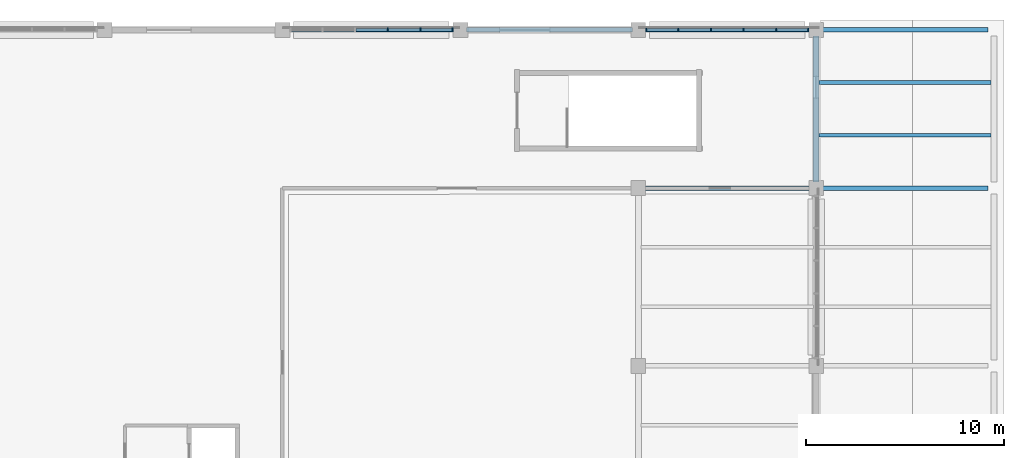
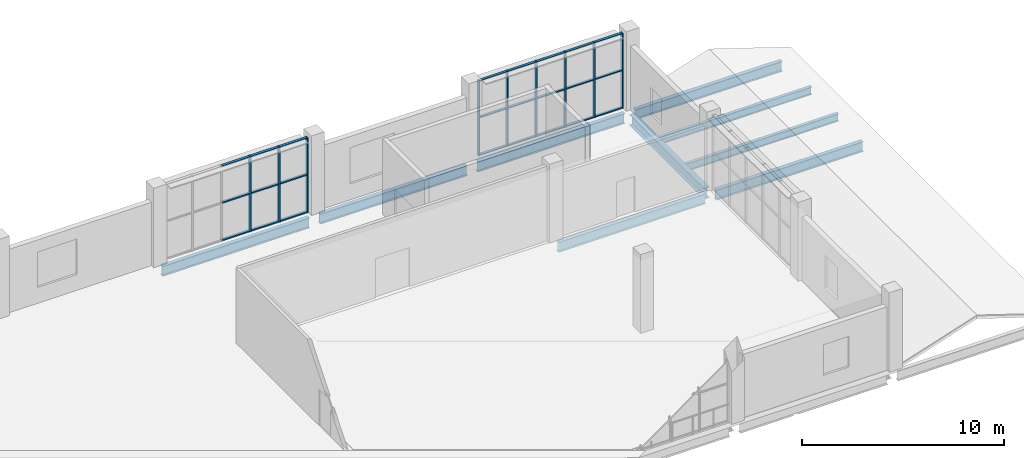
# One storey, part 68 of 152: 33 members, 9 beams, 2 elements without a shape of their own.
"""IFC4 building model written with IfcOpenShell, lengths in metres."""

from ifc_helpers import new_model, si_unit, direction, frame, origin, origin_2d, place, context, subcontext, project, spatial, rectangle, i_section, extrude, material, material_profile, profile_set, type_object, element, aggregate, save


model = new_model("IFC4")

# Units and contexts
model_context = context("Model", 3, precision=1e-05, world=origin(), true_north=direction((0.0, 1.0)))
body_context = subcontext(model_context, "Body", "Model", "MODEL_VIEW")
ifc_project = project(units=[si_unit("LENGTHUNIT", "METRE"), si_unit("AREAUNIT", "SQUARE_METRE"), si_unit("VOLUMEUNIT", "CUBIC_METRE"), si_unit("PLANEANGLEUNIT", "RADIAN"), si_unit("MASSUNIT", "GRAM", prefix="KILO")], contexts=[model_context])

# Site, building, storey
site_placement = place(None, origin())
site = spatial("IfcSite", under=ifc_project, at=site_placement, CompositionType="ELEMENT")
building_placement = place(site_placement, origin())
building = spatial("IfcBuilding", under=site, at=building_placement, Name="Zevraka Park Crest Stadium", CompositionType="ELEMENT")
storey_placement = place(building_placement, frame((0.0, 0.0, 15.0)))
storey = spatial("IfcBuildingStorey", under=building, at=storey_placement, Name="L03", CompositionType="ELEMENT", Elevation=15.0)

# Beams
ifc_material_1 = material(Name="Steel S355", Category="steel")
ifc_material_profile_1 = material_profile(ifc_material_1, i_section(OverallWidth=0.300048828125, OverallDepth=0.64990234375, WebThickness=0.01611328125, FlangeThickness=0.031005859375, at=origin_2d()), Name="HEB 650")
ifc_profile_set_1 = profile_set([ifc_material_profile_1], Name="Steel S355")
beam_type_1 = type_object("IfcBeamType", Name="BG07", PredefinedType="BEAM", material=ifc_profile_set_1)
beam_placement = place(storey_placement, frame((215.0, 176.300048828125, -0.633056640625), z_axis=(0.0, 1.0, 0.0), x_axis=(-1.0, 0.0, 0.0)))
element("IfcBeam", 1, at=beam_placement, inside=storey, type_object=beam_type_1, Name="Wing Girder BG07 L03-24/VW", PredefinedType="BEAM", context=body_context, shape_type="SweptSolid", body=[
    extrude(i_section(OverallWidth=0.300048828125, OverallDepth=0.64990234375, WebThickness=0.01611328125, FlangeThickness=0.031005859375, at=origin_2d()), origin(), (0.0, 0.0, 1.0), 7.39990234375),
])
ifc_material_2 = material(Name="Steel S355", Category="steel")
ifc_material_profile_2 = material_profile(ifc_material_2, i_section(OverallWidth=0.22900390625, OverallDepth=0.612060546875, WebThickness=0.011962890625, FlangeThickness=0.01953125, at=origin_2d()), Name="UKB 610x229x125")
ifc_profile_set_2 = profile_set([ifc_material_profile_2], Name="Steel S355")
beam_type_2 = type_object("IfcBeamType", Name="BG09", PredefinedType="BEAM", material=ifc_profile_set_2)
for number, where, z_axis, x_axis, name in (
    (2, (188.300048828125, 184.0, -0.614013671875), (1.0, 0.0, 0.0), (0.0, 1.0, 0.0), "Wing Girder BG09 L03-2122/W"),
    (3, (197.300048828125, 184.0, -0.614013671875), (1.0, 0.0, 0.0), (0.0, 1.0, 0.0), "Wing Girder BG09 L03-2223/W"),
    (4, (206.300048828125, 176.0, -0.614013671875), (1.0, 0.0, 0.0), (0.0, 1.0, 0.0), "Wing Girder BG09 L03-2324/V"),
    (5, (206.300048828125, 184.0, -0.614013671875), (1.0, 0.0, 0.0), (0.0, 1.0, 0.0), "Wing Girder BG09 L03-2324/W"),
    (6, (215.300048828125, 176.0, -0.614013671875), (1.0, 0.0, 0.0), (0.0, 1.0, 0.0), "Wing Girder BG09 L03-2425/V"),
    (7, (215.300048828125, 184.0, -0.614013671875), (1.0, 0.0, 0.0), (0.0, 1.0, 0.0), "Wing Girder BG09 L03-2425/W"),
):
    element("IfcBeam", number, at=place(storey_placement, frame(where, z_axis=z_axis, x_axis=x_axis)), inside=storey, type_object=beam_type_2, Name=name, PredefinedType="BEAM", context=body_context, shape_type="SweptSolid", body=[
        extrude(i_section(OverallWidth=0.22900390625, OverallDepth=0.612060546875, WebThickness=0.011962890625, FlangeThickness=0.01953125, at=origin_2d()), origin(), (0.0, 0.0, 1.0), 8.39990234375),
    ])

# Curtain wall, members
ifc_material_3 = material(Name="Anodised architectural aluminium and laminated safety glass", Category="aluminium")
curtain_wall_type_1 = type_object("IfcCurtainWallType", Name="CW29", PredefinedType="NOTDEFINED", material=ifc_material_3)
curtain_wall_1_placement = place(storey_placement, origin())
curtain_wall_1 = element("IfcCurtainWall", 8, at=curtain_wall_1_placement, inside=storey, type_object=curtain_wall_type_1, Name="Wing Curtain Wall CW29 L03-NGATE-N3-6", PredefinedType="NOTDEFINED")
ifc_material_4 = material(Name="Anodised architectural aluminium", Category="aluminium")
ifc_material_profile_3 = material_profile(ifc_material_4, rectangle(XDim=0.179931640625, YDim=0.06494140625, at=origin_2d()), Name="ALU MULLION 180x65")
ifc_profile_set_3 = profile_set([ifc_material_profile_3], Name="Anodised architectural aluminium")
member_type_1 = type_object("IfcMemberType", Name="CM02", PredefinedType="MULLION", material=ifc_profile_set_3)
member_1_placement = place(storey_placement, frame((206.3974609375, 184.0, 0.0), z_axis=(0.0, 0.0, 1.0), x_axis=(0.0, 1.0, 0.0)))
member_1 = element("IfcMember", 9, at=member_1_placement, type_object=member_type_1, Name="CW29 mullion 1", PredefinedType="MULLION", context=body_context, shape_type="SweptSolid", body=[
    extrude(rectangle(XDim=0.179931640625, YDim=0.06494140625, at=origin_2d()), origin(), (0.0, 0.0, 1.0), 4.5400390625),
])
member_2_placement = place(storey_placement, frame((208.01904296875, 184.0, 0.0), z_axis=(0.0, 0.0, 1.0), x_axis=(0.0, 1.0, 0.0)))
member_2 = element("IfcMember", 10, at=member_2_placement, type_object=member_type_1, Name="CW29 mullion 2", PredefinedType="MULLION", context=body_context, shape_type="SweptSolid", body=[
    extrude(rectangle(XDim=0.179931640625, YDim=0.06494140625, at=origin_2d()), origin(), (0.0, 0.0, 1.0), 4.5400390625),
])
member_3_placement = place(storey_placement, frame((209.673095703125, 184.0, 0.0), z_axis=(0.0, 0.0, 1.0), x_axis=(0.0, 1.0, 0.0)))
member_3 = element("IfcMember", 11, at=member_3_placement, type_object=member_type_1, Name="CW29 mullion 3", PredefinedType="MULLION", context=body_context, shape_type="SweptSolid", body=[
    extrude(rectangle(XDim=0.179931640625, YDim=0.06494140625, at=origin_2d()), origin(), (0.0, 0.0, 1.0), 4.5400390625),
])
member_4_placement = place(storey_placement, frame((211.326904296875, 184.0, 0.0), z_axis=(0.0, 0.0, 1.0), x_axis=(0.0, 1.0, 0.0)))
member_4 = element("IfcMember", 12, at=member_4_placement, type_object=member_type_1, Name="CW29 mullion 4", PredefinedType="MULLION", context=body_context, shape_type="SweptSolid", body=[
    extrude(rectangle(XDim=0.179931640625, YDim=0.06494140625, at=origin_2d()), origin(), (0.0, 0.0, 1.0), 4.5400390625),
])
member_5_placement = place(storey_placement, frame((212.98095703125, 184.0, 0.0), z_axis=(0.0, 0.0, 1.0), x_axis=(0.0, 1.0, 0.0)))
member_5 = element("IfcMember", 13, at=member_5_placement, type_object=member_type_1, Name="CW29 mullion 5", PredefinedType="MULLION", context=body_context, shape_type="SweptSolid", body=[
    extrude(rectangle(XDim=0.179931640625, YDim=0.06494140625, at=origin_2d()), origin(), (0.0, 0.0, 1.0), 4.5400390625),
])
member_6_placement = place(storey_placement, frame((214.6025390625, 184.0, 0.0), z_axis=(0.0, 0.0, 1.0), x_axis=(0.0, 1.0, 0.0)))
member_6 = element("IfcMember", 14, at=member_6_placement, type_object=member_type_1, Name="CW29 mullion 6", PredefinedType="MULLION", context=body_context, shape_type="SweptSolid", body=[
    extrude(rectangle(XDim=0.179931640625, YDim=0.06494140625, at=origin_2d()), origin(), (0.0, 0.0, 1.0), 4.5400390625),
])

ifc_material_5 = material(Name="Anodised architectural aluminium and laminated safety glass", Category="aluminium")
curtain_wall_type_2 = type_object("IfcCurtainWallType", Name="CW27", PredefinedType="NOTDEFINED", material=ifc_material_5)
curtain_wall_2_placement = place(storey_placement, origin())
curtain_wall_2 = element("IfcCurtainWall", 15, at=curtain_wall_2_placement, inside=storey, type_object=curtain_wall_type_2, Name="Wing Curtain Wall CW27 L03-NGATE-N3-4", PredefinedType="NOTDEFINED")
ifc_material_6 = material(Name="Anodised architectural aluminium", Category="aluminium")
ifc_material_profile_4 = material_profile(ifc_material_6, rectangle(XDim=0.199951171875, YDim=0.070068359375, at=origin_2d()), Name="ALU MULLION 200x70")
ifc_profile_set_4 = profile_set([ifc_material_profile_4], Name="Anodised architectural aluminium")
member_type_2 = type_object("IfcMemberType", Name="CM03", PredefinedType="MULLION", material=ifc_profile_set_4)
member_7_placement = place(storey_placement, frame((193.326904296875, 184.0, 0.0), z_axis=(0.0, 0.0, 1.0), x_axis=(0.0, 1.0, 0.0)))
member_7 = element("IfcMember", 16, at=member_7_placement, type_object=member_type_2, Name="CW27 mullion 4", PredefinedType="MULLION", context=body_context, shape_type="SweptSolid", body=[
    extrude(rectangle(XDim=0.199951171875, YDim=0.070068359375, at=origin_2d()), origin(), (0.0, 0.0, 1.0), 4.5400390625),
])
member_8_placement = place(storey_placement, frame((194.98095703125, 184.0, 0.0), z_axis=(0.0, 0.0, 1.0), x_axis=(0.0, 1.0, 0.0)))
member_8 = element("IfcMember", 17, at=member_8_placement, type_object=member_type_2, Name="CW27 mullion 5", PredefinedType="MULLION", context=body_context, shape_type="SweptSolid", body=[
    extrude(rectangle(XDim=0.199951171875, YDim=0.070068359375, at=origin_2d()), origin(), (0.0, 0.0, 1.0), 4.5400390625),
])
member_9_placement = place(storey_placement, frame((196.60009765625, 184.0, 0.0), z_axis=(0.0, 0.0, 1.0), x_axis=(0.0, 1.0, 0.0)))
member_9 = element("IfcMember", 18, at=member_9_placement, type_object=member_type_2, Name="CW27 mullion 6", PredefinedType="MULLION", context=body_context, shape_type="SweptSolid", body=[
    extrude(rectangle(XDim=0.199951171875, YDim=0.070068359375, at=origin_2d()), origin(), (0.0, 0.0, 1.0), 4.5400390625),
])

# Member
ifc_material_7 = material(Name="Anodised architectural aluminium", Category="aluminium")
ifc_material_profile_5 = material_profile(ifc_material_7, rectangle(XDim=0.139892578125, YDim=0.06494140625, at=origin_2d()), Name="ALU TRANSOM 140x65")
ifc_profile_set_5 = profile_set([ifc_material_profile_5], Name="Anodised architectural aluminium")
member_type_3 = type_object("IfcMemberType", Name="CT02", PredefinedType="USERDEFINED", material=ifc_profile_set_5)
member_10_placement = place(storey_placement, frame((206.429931640625, 184.0, 0.032470703125), z_axis=(1.0, 0.0, 0.0), x_axis=(0.0, 1.0, 0.0)))
member_10 = element("IfcMember", 19, at=member_10_placement, type_object=member_type_3, Name="CW29 transom 1.1", ObjectType="TRANSOM", PredefinedType="USERDEFINED", context=body_context, shape_type="SweptSolid", body=[
    extrude(rectangle(XDim=0.139892578125, YDim=0.06494140625, at=origin_2d()), origin(), (0.0, 0.0, 1.0), 1.556640625),
])

member_11_placement = place(storey_placement, frame((206.429931640625, 184.0, 2.300048828125), z_axis=(1.0, 0.0, 0.0), x_axis=(0.0, 1.0, 0.0)))
member_11 = element("IfcMember", 20, at=member_11_placement, type_object=member_type_3, Name="CW29 transom 1.2", ObjectType="TRANSOM", PredefinedType="USERDEFINED", context=body_context, shape_type="SweptSolid", body=[
    extrude(rectangle(XDim=0.139892578125, YDim=0.06494140625, at=origin_2d()), origin(), (0.0, 0.0, 1.0), 1.556640625),
])

member_12_placement = place(storey_placement, frame((206.429931640625, 184.0, 4.507568359375), z_axis=(1.0, 0.0, 0.0), x_axis=(0.0, 1.0, 0.0)))
member_12 = element("IfcMember", 21, at=member_12_placement, type_object=member_type_3, Name="CW29 transom 1.3", ObjectType="TRANSOM", PredefinedType="USERDEFINED", context=body_context, shape_type="SweptSolid", body=[
    extrude(rectangle(XDim=0.139892578125, YDim=0.06494140625, at=origin_2d()), origin(), (0.0, 0.0, 1.0), 1.556640625),
])

member_13_placement = place(storey_placement, frame((208.051513671875, 184.0, 0.032470703125), z_axis=(1.0, 0.0, 0.0), x_axis=(0.0, 1.0, 0.0)))
member_13 = element("IfcMember", 22, at=member_13_placement, type_object=member_type_3, Name="CW29 transom 2.1", ObjectType="TRANSOM", PredefinedType="USERDEFINED", context=body_context, shape_type="SweptSolid", body=[
    extrude(rectangle(XDim=0.139892578125, YDim=0.06494140625, at=origin_2d()), origin(), (0.0, 0.0, 1.0), 1.5888671875),
])

member_14_placement = place(storey_placement, frame((208.051513671875, 184.0, 2.300048828125), z_axis=(1.0, 0.0, 0.0), x_axis=(0.0, 1.0, 0.0)))
member_14 = element("IfcMember", 23, at=member_14_placement, type_object=member_type_3, Name="CW29 transom 2.2", ObjectType="TRANSOM", PredefinedType="USERDEFINED", context=body_context, shape_type="SweptSolid", body=[
    extrude(rectangle(XDim=0.139892578125, YDim=0.06494140625, at=origin_2d()), origin(), (0.0, 0.0, 1.0), 1.5888671875),
])

member_15_placement = place(storey_placement, frame((208.051513671875, 184.0, 4.507568359375), z_axis=(1.0, 0.0, 0.0), x_axis=(0.0, 1.0, 0.0)))
member_15 = element("IfcMember", 24, at=member_15_placement, type_object=member_type_3, Name="CW29 transom 2.3", ObjectType="TRANSOM", PredefinedType="USERDEFINED", context=body_context, shape_type="SweptSolid", body=[
    extrude(rectangle(XDim=0.139892578125, YDim=0.06494140625, at=origin_2d()), origin(), (0.0, 0.0, 1.0), 1.5888671875),
])

member_16_placement = place(storey_placement, frame((209.70556640625, 184.0, 0.032470703125), z_axis=(1.0, 0.0, 0.0), x_axis=(0.0, 1.0, 0.0)))
member_16 = element("IfcMember", 25, at=member_16_placement, type_object=member_type_3, Name="CW29 transom 3.1", ObjectType="TRANSOM", PredefinedType="USERDEFINED", context=body_context, shape_type="SweptSolid", body=[
    extrude(rectangle(XDim=0.139892578125, YDim=0.06494140625, at=origin_2d()), origin(), (0.0, 0.0, 1.0), 1.5888671875),
])

member_17_placement = place(storey_placement, frame((209.70556640625, 184.0, 2.300048828125), z_axis=(1.0, 0.0, 0.0), x_axis=(0.0, 1.0, 0.0)))
member_17 = element("IfcMember", 26, at=member_17_placement, type_object=member_type_3, Name="CW29 transom 3.2", ObjectType="TRANSOM", PredefinedType="USERDEFINED", context=body_context, shape_type="SweptSolid", body=[
    extrude(rectangle(XDim=0.139892578125, YDim=0.06494140625, at=origin_2d()), origin(), (0.0, 0.0, 1.0), 1.5888671875),
])

member_18_placement = place(storey_placement, frame((209.70556640625, 184.0, 4.507568359375), z_axis=(1.0, 0.0, 0.0), x_axis=(0.0, 1.0, 0.0)))
member_18 = element("IfcMember", 27, at=member_18_placement, type_object=member_type_3, Name="CW29 transom 3.3", ObjectType="TRANSOM", PredefinedType="USERDEFINED", context=body_context, shape_type="SweptSolid", body=[
    extrude(rectangle(XDim=0.139892578125, YDim=0.06494140625, at=origin_2d()), origin(), (0.0, 0.0, 1.0), 1.5888671875),
])

member_19_placement = place(storey_placement, frame((211.359619140625, 184.0, 0.032470703125), z_axis=(1.0, 0.0, 0.0), x_axis=(0.0, 1.0, 0.0)))
member_19 = element("IfcMember", 28, at=member_19_placement, type_object=member_type_3, Name="CW29 transom 4.1", ObjectType="TRANSOM", PredefinedType="USERDEFINED", context=body_context, shape_type="SweptSolid", body=[
    extrude(rectangle(XDim=0.139892578125, YDim=0.06494140625, at=origin_2d()), origin(), (0.0, 0.0, 1.0), 1.5888671875),
])

member_20_placement = place(storey_placement, frame((211.359619140625, 184.0, 2.300048828125), z_axis=(1.0, 0.0, 0.0), x_axis=(0.0, 1.0, 0.0)))
member_20 = element("IfcMember", 29, at=member_20_placement, type_object=member_type_3, Name="CW29 transom 4.2", ObjectType="TRANSOM", PredefinedType="USERDEFINED", context=body_context, shape_type="SweptSolid", body=[
    extrude(rectangle(XDim=0.139892578125, YDim=0.06494140625, at=origin_2d()), origin(), (0.0, 0.0, 1.0), 1.5888671875),
])

member_21_placement = place(storey_placement, frame((211.359619140625, 184.0, 4.507568359375), z_axis=(1.0, 0.0, 0.0), x_axis=(0.0, 1.0, 0.0)))
member_21 = element("IfcMember", 30, at=member_21_placement, type_object=member_type_3, Name="CW29 transom 4.3", ObjectType="TRANSOM", PredefinedType="USERDEFINED", context=body_context, shape_type="SweptSolid", body=[
    extrude(rectangle(XDim=0.139892578125, YDim=0.06494140625, at=origin_2d()), origin(), (0.0, 0.0, 1.0), 1.5888671875),
])

member_22_placement = place(storey_placement, frame((213.013427734375, 184.0, 0.032470703125), z_axis=(1.0, 0.0, 0.0), x_axis=(0.0, 1.0, 0.0)))
member_22 = element("IfcMember", 31, at=member_22_placement, type_object=member_type_3, Name="CW29 transom 5.1", ObjectType="TRANSOM", PredefinedType="USERDEFINED", context=body_context, shape_type="SweptSolid", body=[
    extrude(rectangle(XDim=0.139892578125, YDim=0.06494140625, at=origin_2d()), origin(), (0.0, 0.0, 1.0), 1.556640625),
])

member_23_placement = place(storey_placement, frame((213.013427734375, 184.0, 2.300048828125), z_axis=(1.0, 0.0, 0.0), x_axis=(0.0, 1.0, 0.0)))
member_23 = element("IfcMember", 32, at=member_23_placement, type_object=member_type_3, Name="CW29 transom 5.2", ObjectType="TRANSOM", PredefinedType="USERDEFINED", context=body_context, shape_type="SweptSolid", body=[
    extrude(rectangle(XDim=0.139892578125, YDim=0.06494140625, at=origin_2d()), origin(), (0.0, 0.0, 1.0), 1.556640625),
])

member_24_placement = place(storey_placement, frame((213.013427734375, 184.0, 4.507568359375), z_axis=(1.0, 0.0, 0.0), x_axis=(0.0, 1.0, 0.0)))
member_24 = element("IfcMember", 33, at=member_24_placement, type_object=member_type_3, Name="CW29 transom 5.3", ObjectType="TRANSOM", PredefinedType="USERDEFINED", context=body_context, shape_type="SweptSolid", body=[
    extrude(rectangle(XDim=0.139892578125, YDim=0.06494140625, at=origin_2d()), origin(), (0.0, 0.0, 1.0), 1.556640625),
])

aggregate(curtain_wall_1, [member_1, member_2, member_3, member_4, member_5, member_6, member_10, member_11, member_12, member_13, member_14, member_15, member_16, member_17, member_18, member_19, member_20, member_21, member_22, member_23, member_24])

ifc_material_8 = material(Name="Anodised architectural aluminium", Category="aluminium")
ifc_material_profile_6 = material_profile(ifc_material_8, rectangle(XDim=0.14990234375, YDim=0.070068359375, at=origin_2d()), Name="ALU TRANSOM 150x70")
ifc_profile_set_6 = profile_set([ifc_material_profile_6], Name="Anodised architectural aluminium")
member_type_4 = type_object("IfcMemberType", Name="CT03", PredefinedType="USERDEFINED", material=ifc_profile_set_6)
member_25_placement = place(storey_placement, frame((191.7080078125, 184.0, 0.034912109375), z_axis=(1.0, 0.0, 0.0), x_axis=(0.0, 1.0, 0.0)))
member_25 = element("IfcMember", 34, at=member_25_placement, type_object=member_type_4, Name="CW27 transom 3.1", ObjectType="TRANSOM", PredefinedType="USERDEFINED", context=body_context, shape_type="SweptSolid", body=[
    extrude(rectangle(XDim=0.14990234375, YDim=0.070068359375, at=origin_2d()), origin(), (0.0, 0.0, 1.0), 1.583984375),
])

member_26_placement = place(storey_placement, frame((191.7080078125, 184.0, 2.300048828125), z_axis=(1.0, 0.0, 0.0), x_axis=(0.0, 1.0, 0.0)))
member_26 = element("IfcMember", 35, at=member_26_placement, type_object=member_type_4, Name="CW27 transom 3.2", ObjectType="TRANSOM", PredefinedType="USERDEFINED", context=body_context, shape_type="SweptSolid", body=[
    extrude(rectangle(XDim=0.14990234375, YDim=0.070068359375, at=origin_2d()), origin(), (0.0, 0.0, 1.0), 1.583984375),
])

member_27_placement = place(storey_placement, frame((191.7080078125, 184.0, 4.5048828125), z_axis=(1.0, 0.0, 0.0), x_axis=(0.0, 1.0, 0.0)))
member_27 = element("IfcMember", 36, at=member_27_placement, type_object=member_type_4, Name="CW27 transom 3.3", ObjectType="TRANSOM", PredefinedType="USERDEFINED", context=body_context, shape_type="SweptSolid", body=[
    extrude(rectangle(XDim=0.14990234375, YDim=0.070068359375, at=origin_2d()), origin(), (0.0, 0.0, 1.0), 1.583984375),
])

member_28_placement = place(storey_placement, frame((193.362060546875, 184.0, 0.034912109375), z_axis=(1.0, 0.0, 0.0), x_axis=(0.0, 1.0, 0.0)))
member_28 = element("IfcMember", 37, at=member_28_placement, type_object=member_type_4, Name="CW27 transom 4.1", ObjectType="TRANSOM", PredefinedType="USERDEFINED", context=body_context, shape_type="SweptSolid", body=[
    extrude(rectangle(XDim=0.14990234375, YDim=0.070068359375, at=origin_2d()), origin(), (0.0, 0.0, 1.0), 1.583984375),
])

member_29_placement = place(storey_placement, frame((193.362060546875, 184.0, 2.300048828125), z_axis=(1.0, 0.0, 0.0), x_axis=(0.0, 1.0, 0.0)))
member_29 = element("IfcMember", 38, at=member_29_placement, type_object=member_type_4, Name="CW27 transom 4.2", ObjectType="TRANSOM", PredefinedType="USERDEFINED", context=body_context, shape_type="SweptSolid", body=[
    extrude(rectangle(XDim=0.14990234375, YDim=0.070068359375, at=origin_2d()), origin(), (0.0, 0.0, 1.0), 1.583984375),
])

member_30_placement = place(storey_placement, frame((193.362060546875, 184.0, 4.5048828125), z_axis=(1.0, 0.0, 0.0), x_axis=(0.0, 1.0, 0.0)))
member_30 = element("IfcMember", 39, at=member_30_placement, type_object=member_type_4, Name="CW27 transom 4.3", ObjectType="TRANSOM", PredefinedType="USERDEFINED", context=body_context, shape_type="SweptSolid", body=[
    extrude(rectangle(XDim=0.14990234375, YDim=0.070068359375, at=origin_2d()), origin(), (0.0, 0.0, 1.0), 1.583984375),
])

member_31_placement = place(storey_placement, frame((195.01611328125, 184.0, 0.034912109375), z_axis=(1.0, 0.0, 0.0), x_axis=(0.0, 1.0, 0.0)))
member_31 = element("IfcMember", 40, at=member_31_placement, type_object=member_type_4, Name="CW27 transom 5.1", ObjectType="TRANSOM", PredefinedType="USERDEFINED", context=body_context, shape_type="SweptSolid", body=[
    extrude(rectangle(XDim=0.14990234375, YDim=0.070068359375, at=origin_2d()), origin(), (0.0, 0.0, 1.0), 1.548828125),
])

member_32_placement = place(storey_placement, frame((195.01611328125, 184.0, 2.300048828125), z_axis=(1.0, 0.0, 0.0), x_axis=(0.0, 1.0, 0.0)))
member_32 = element("IfcMember", 41, at=member_32_placement, type_object=member_type_4, Name="CW27 transom 5.2", ObjectType="TRANSOM", PredefinedType="USERDEFINED", context=body_context, shape_type="SweptSolid", body=[
    extrude(rectangle(XDim=0.14990234375, YDim=0.070068359375, at=origin_2d()), origin(), (0.0, 0.0, 1.0), 1.548828125),
])

member_33_placement = place(storey_placement, frame((195.01611328125, 184.0, 4.5048828125), z_axis=(1.0, 0.0, 0.0), x_axis=(0.0, 1.0, 0.0)))
member_33 = element("IfcMember", 42, at=member_33_placement, type_object=member_type_4, Name="CW27 transom 5.3", ObjectType="TRANSOM", PredefinedType="USERDEFINED", context=body_context, shape_type="SweptSolid", body=[
    extrude(rectangle(XDim=0.14990234375, YDim=0.070068359375, at=origin_2d()), origin(), (0.0, 0.0, 1.0), 1.548828125),
])

aggregate(curtain_wall_2, [member_7, member_8, member_9, member_25, member_26, member_27, member_28, member_29, member_30, member_31, member_32, member_33])

# Beams
ifc_material_9 = material(Name="Steel S355", Category="steel")
ifc_material_profile_7 = material_profile(ifc_material_9, i_section(OverallWidth=0.18994140625, OverallDepth=0.45703125, WebThickness=0.009033203125, FlangeThickness=0.014404296875, at=origin_2d()), Name="UKB 457x191x74")
ifc_profile_set_7 = profile_set([ifc_material_profile_7], Name="Steel S355")
beam_type_3 = type_object("IfcBeamType", Name="SJ12", PredefinedType="JOIST", material=ifc_profile_set_7)
for number, where, z_axis, x_axis, name in (
    (43, (215.14501953125, 178.6669921875, -0.53857421875), (1.0, 0.0, 0.0), (0.0, 1.0, 0.0), "Wing Joist SJ12 L03-24/V-1"),
    (44, (215.14501953125, 181.3330078125, -0.53857421875), (1.0, 0.0, 0.0), (0.0, 1.0, 0.0), "Wing Joist SJ12 L03-24/V-2"),
):
    element("IfcBeam", number, at=place(storey_placement, frame(where, z_axis=z_axis, x_axis=x_axis)), inside=storey, type_object=beam_type_3, Name=name, PredefinedType="JOIST", context=body_context, shape_type="SweptSolid", body=[
        extrude(i_section(OverallWidth=0.18994140625, OverallDepth=0.45703125, WebThickness=0.009033203125, FlangeThickness=0.014404296875, at=origin_2d()), origin(), (0.0, 0.0, 1.0), 8.7099609375),
    ])

save(model, "model.ifc")
